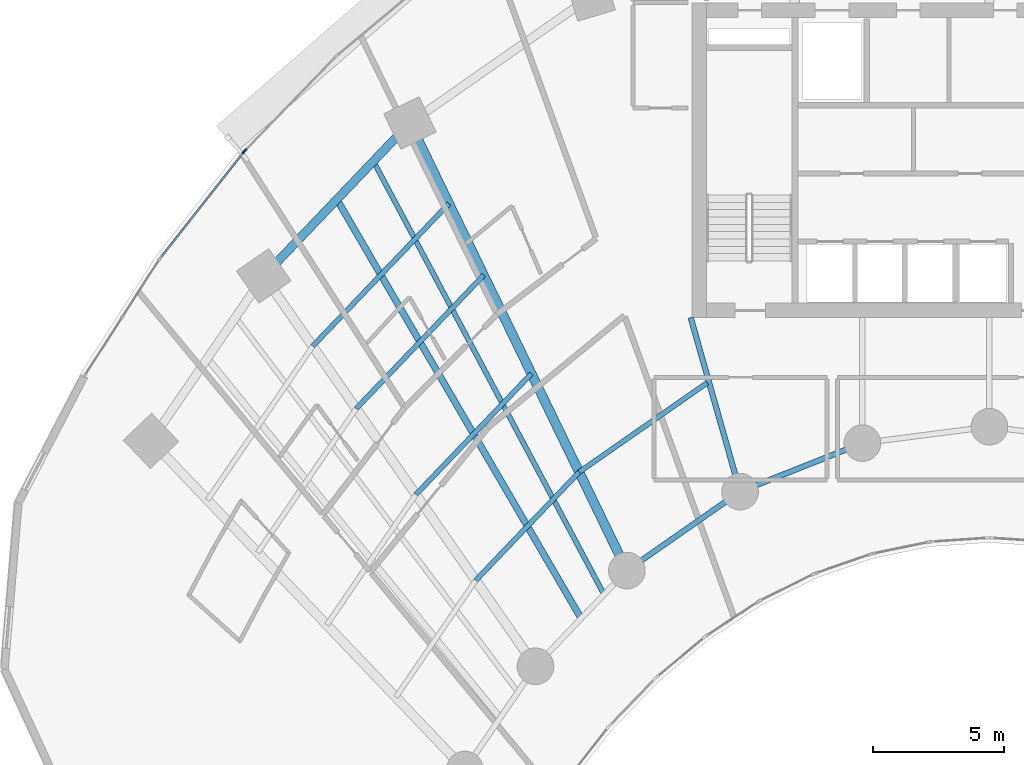
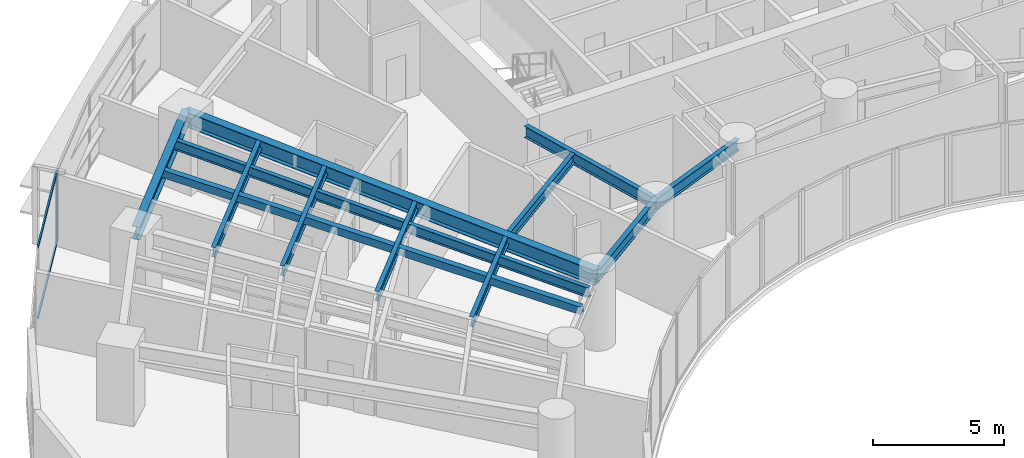
# One storey, part 3 of 17: 12 beams, 4 members, 2 elements without a shape of their own.
"""IFC4 building model written with IfcOpenShell, lengths in metres."""

from ifc_helpers import new_model, si_unit, direction, frame, origin, origin_2d, place, context, subcontext, project, spatial, rectangle, hollow_rectangle, i_section, extrude, source, transform, mapped, material, layer, layer_set, material_profile, profile_set, type_object, type_shapes, element, aggregate, save


model = new_model("IFC4")

# Units and contexts
model_context = context("Model", 3, precision=1e-05, world=origin(), true_north=direction((0.0, 1.0)))
body_context = subcontext(model_context, "Body", "Model", "MODEL_VIEW")
ifc_project = project(units=[si_unit("LENGTHUNIT", "METRE"), si_unit("AREAUNIT", "SQUARE_METRE"), si_unit("VOLUMEUNIT", "CUBIC_METRE"), si_unit("PLANEANGLEUNIT", "RADIAN"), si_unit("MASSUNIT", "GRAM", prefix="KILO")], contexts=[model_context])

# Site, building, storey
site_placement = place(None, origin())
site = spatial("IfcSite", under=ifc_project, at=site_placement, CompositionType="ELEMENT")
building_placement = place(site_placement, origin())
building = spatial("IfcBuilding", under=site, at=building_placement, Name="Breltana Convention Tower", CompositionType="ELEMENT")
storey_placement = place(building_placement, frame((0.0, 0.0, 71.39990234375)))
storey = spatial("IfcBuildingStorey", under=building, at=storey_placement, Name="L16", CompositionType="ELEMENT", Elevation=71.39990234375)

# Beams
ifc_material_1 = material(Name="Steel ASTM A992 Grade 50", Category="steel")
ifc_material_profile_1 = material_profile(ifc_material_1, i_section(OverallWidth=0.323974609375, OverallDepth=0.611083984375, WebThickness=0.0126953125, FlangeThickness=0.01904296875, at=origin_2d()), Name="W24X104")
ifc_profile_set_1 = profile_set([ifc_material_profile_1], Name="Steel ASTM A992 Grade 50")
beam_type_1 = type_object("IfcBeamType", Name="BM-SP-W24X104", PredefinedType="SPANDREL", material=ifc_profile_set_1)
shared_shape_1 = source(origin(), body_context, "Body", "SweptSolid", [
    extrude(i_section(OverallWidth=0.323974609375, OverallDepth=0.611083984375, WebThickness=0.0126953125, FlangeThickness=0.01904296875, at=origin_2d()), origin(), (0.0, 0.0, 1.0), 8.073974609375),
])
beam_1_placement = place(storey_placement, frame((20.310791015625, 61.78857421875, 3.0546875), z_axis=(0.69072885448, 0.723113856588, 0.0), x_axis=(-0.723113856588, 0.69072885448, 0.0)))
element("IfcBeam", 1, at=beam_1_placement, inside=storey, type_object=beam_type_1, Name="L16 Outer Spandrel Beam 02", PredefinedType="SPANDREL", context=body_context, shape_type="MappedRepresentation", body=[
    mapped(shared_shape_1, transform((0.0, 0.0, 0.0), scale=1.0)),
])
ifc_material_profile_2 = material_profile(ifc_material_1, i_section(OverallWidth=0.35498046875, OverallDepth=0.696044921875, WebThickness=0.015380859375, FlangeThickness=0.02490234375, at=origin_2d()), Name="W27X146")
ifc_profile_set_2 = profile_set([ifc_material_profile_2], Name="Steel ASTM A992 Grade 50")
beam_type_2 = type_object("IfcBeamType", Name="BM-RG-W27X146", PredefinedType="USERDEFINED", material=ifc_profile_set_2)
shared_shape_2 = source(origin(), body_context, "Body", "SweptSolid", [
    extrude(i_section(OverallWidth=0.35498046875, OverallDepth=0.696044921875, WebThickness=0.015380859375, FlangeThickness=0.02490234375, at=origin_2d()), origin(), (0.0, 0.0, 1.0), 18.982421875),
])
beam_2_placement = place(storey_placement, frame((34.166259765625, 50.544921875, 3.01220703125), z_axis=(-0.436118560343, 0.89988921614, 0.0), x_axis=(-0.89988921614, -0.436118560343, 0.0)))
element("IfcBeam", 2, at=beam_2_placement, inside=storey, type_object=beam_type_2, Name="L16 Radial Floor Girder R03", ObjectType="GIRDER", PredefinedType="USERDEFINED", context=body_context, shape_type="MappedRepresentation", body=[
    mapped(shared_shape_2, transform((0.0, 0.0, 0.0), scale=1.0)),
])
ifc_material_profile_3 = material_profile(ifc_material_1, i_section(OverallWidth=0.2099609375, OverallDepth=0.537109375, WebThickness=0.010986328125, FlangeThickness=0.017333984375, at=origin_2d()), Name="W21X68")
ifc_profile_set_3 = profile_set([ifc_material_profile_3], Name="Steel ASTM A992 Grade 50")
beam_type_3 = type_object("IfcBeamType", Name="BM-BM-W21X68", PredefinedType="BEAM", material=ifc_profile_set_3)
shared_shape_3 = source(origin(), body_context, "Body", "SweptSolid", [
    extrude(i_section(OverallWidth=0.2099609375, OverallDepth=0.537109375, WebThickness=0.010986328125, FlangeThickness=0.017333984375, at=origin_2d()), origin(), (0.0, 0.0, 1.0), 6.904541015625),
])
type_shapes(beam_type_3, [shared_shape_3])
beam_3_placement = place(storey_placement, frame((36.60009765625, 60.199951171875, 3.091552734375), z_axis=(0.273006781054, -0.962012108811, 0.0), x_axis=(0.962012108811, 0.273006781054, 0.0)))
element("IfcBeam", 3, at=beam_3_placement, inside=storey, type_object=beam_type_3, Name="L16 South Core Tie Girder R04", PredefinedType="BEAM", context=body_context, shape_type="MappedRepresentation", body=[
    mapped(shared_shape_3, transform((0.0, 0.0, 0.0), scale=1.0)),
])
shared_shape_4 = source(origin(), body_context, "Body", "SweptSolid", [
    extrude(i_section(OverallWidth=0.2099609375, OverallDepth=0.537109375, WebThickness=0.010986328125, FlangeThickness=0.017333984375, at=origin_2d()), origin(), (0.0, 0.0, 1.0), 5.265869140625),
])
beam_4_placement = place(storey_placement, frame((34.166259765625, 50.544921875, 3.091552734375), z_axis=(0.820167429517, 0.572123577176, 0.0), x_axis=(-0.572123577176, 0.820167429517, 0.0)))
element("IfcBeam", 4, at=beam_4_placement, inside=storey, type_object=beam_type_3, Name="L16 Inner Ring Beam 03", PredefinedType="BEAM", context=body_context, shape_type="MappedRepresentation", body=[
    mapped(shared_shape_4, transform((0.0, 0.0, 0.0), scale=1.0)),
])
shared_shape_5 = source(origin(), body_context, "Body", "SweptSolid", [
    extrude(i_section(OverallWidth=0.2099609375, OverallDepth=0.537109375, WebThickness=0.010986328125, FlangeThickness=0.017333984375, at=origin_2d()), origin(), (0.0, 0.0, 1.0), 5.022705078125),
])
beam_5_placement = place(storey_placement, frame((38.485107421875, 53.5576171875, 3.091552734375), z_axis=(0.929458966248, 0.368925507469, 0.0), x_axis=(-0.368925507469, 0.929458966248, 0.0)))
element("IfcBeam", 5, at=beam_5_placement, inside=storey, type_object=beam_type_3, Name="L16 Inner Ring Beam 04", PredefinedType="BEAM", context=body_context, shape_type="MappedRepresentation", body=[
    mapped(shared_shape_5, transform((0.0, 0.0, 0.0), scale=1.0)),
])
ifc_material_profile_4 = material_profile(ifc_material_1, i_section(OverallWidth=0.19091796875, OverallDepth=0.4599609375, WebThickness=0.010009765625, FlangeThickness=0.01611328125, at=origin_2d()), Name="W18X55")
ifc_profile_set_4 = profile_set([ifc_material_profile_4], Name="Steel ASTM A992 Grade 50")
beam_type_4 = type_object("IfcBeamType", Name="BM-JSG-07", PredefinedType="JOIST", material=ifc_profile_set_4)
shared_shape_6 = source(origin(), body_context, "Body", "SweptSolid", [
    extrude(i_section(OverallWidth=0.19091796875, OverallDepth=0.4599609375, WebThickness=0.010009765625, FlangeThickness=0.01611328125, at=origin_2d()), origin(), (0.0, 0.0, 1.0), 5.716064453125),
])
beam_6_placement = place(storey_placement, frame((28.396484375, 50.169677734375, 3.130126953125), z_axis=(0.690756060045, 0.723087868458, 0.0), x_axis=(-0.723087868458, 0.690756060045, 0.0)))
element("IfcBeam", 6, at=beam_6_placement, inside=storey, type_object=beam_type_4, Name="L16 Composite Floor Joist 02.1", PredefinedType="JOIST", context=body_context, shape_type="MappedRepresentation", body=[
    mapped(shared_shape_6, transform((0.0, 0.0, 0.0), scale=1.0)),
])
shared_shape_7 = source(origin(), body_context, "Body", "SweptSolid", [
    extrude(i_section(OverallWidth=0.19091796875, OverallDepth=0.4599609375, WebThickness=0.010009765625, FlangeThickness=0.01611328125, at=origin_2d()), origin(), (0.0, 0.0, 1.0), 6.381103515625),
])
beam_7_placement = place(storey_placement, frame((26.115966796875, 53.44677734375, 3.130126953125), z_axis=(0.690737768889, 0.723105341309, 0.0), x_axis=(-0.723105341309, 0.690737768889, 0.0)))
element("IfcBeam", 7, at=beam_7_placement, inside=storey, type_object=beam_type_4, Name="L16 Composite Floor Joist 02.2", PredefinedType="JOIST", context=body_context, shape_type="MappedRepresentation", body=[
    mapped(shared_shape_7, transform((0.0, 0.0, 0.0), scale=1.0)),
])
shared_shape_8 = source(origin(), body_context, "Body", "SweptSolid", [
    extrude(i_section(OverallWidth=0.19091796875, OverallDepth=0.4599609375, WebThickness=0.010009765625, FlangeThickness=0.01611328125, at=origin_2d()), origin(), (0.0, 0.0, 1.0), 7.046142578125),
])
beam_8_placement = place(storey_placement, frame((23.83544921875, 56.723876953125, 3.130126953125), z_axis=(0.690722929904, 0.723119515782, 0.0), x_axis=(-0.723119515782, 0.690722929904, 0.0)))
element("IfcBeam", 8, at=beam_8_placement, inside=storey, type_object=beam_type_4, Name="L16 Composite Floor Joist 02.3", PredefinedType="JOIST", context=body_context, shape_type="MappedRepresentation", body=[
    mapped(shared_shape_8, transform((0.0, 0.0, 0.0), scale=1.0)),
])
shared_shape_9 = source(origin(), body_context, "Body", "SweptSolid", [
    extrude(i_section(OverallWidth=0.19091796875, OverallDepth=0.4599609375, WebThickness=0.010009765625, FlangeThickness=0.01611328125, at=origin_2d()), origin(), (0.0, 0.0, 1.0), 7.529541015625),
])
beam_9_placement = place(storey_placement, frame((22.1767578125, 59.107421875, 3.130126953125), z_axis=(0.690725562031, 0.723117001568, 0.0), x_axis=(-0.723117001568, 0.690725562031, 0.0)))
element("IfcBeam", 9, at=beam_9_placement, inside=storey, type_object=beam_type_4, Name="L16 Composite Floor Joist 02.4", PredefinedType="JOIST", context=body_context, shape_type="MappedRepresentation", body=[
    mapped(shared_shape_9, transform((0.0, 0.0, 0.0), scale=1.0)),
])
ifc_material_profile_5 = material_profile(ifc_material_1, hollow_rectangle(XDim=0.25, YDim=0.35009765625, WallThickness=0.011962890625, at=origin_2d()), Name="RHS350X250X12")
ifc_profile_set_5 = profile_set([ifc_material_profile_5], Name="Steel ASTM A992 Grade 50")
beam_type_5 = type_object("IfcBeamType", Name="BM-JSG-12", PredefinedType="JOIST", material=ifc_profile_set_5)
shared_shape_10 = source(origin(), body_context, "Body", "SweptSolid", [
    extrude(hollow_rectangle(XDim=0.25, YDim=0.35009765625, WallThickness=0.011962890625, at=origin_2d()), origin(), (0.0, 0.0, 1.0), 18.50830078125),
])
beam_10_placement = place(storey_placement, frame((32.421630859375, 48.71875, 3.18505859375), z_axis=(-0.50368319637, 0.863888440537, 0.0), x_axis=(-0.863888440537, -0.50368319637, 0.0)))
element("IfcBeam", 10, at=beam_10_placement, inside=storey, type_object=beam_type_5, Name="L16 Mid-Bay Radial Trimmer 02", PredefinedType="JOIST", context=body_context, shape_type="MappedRepresentation", body=[
    mapped(shared_shape_10, transform((0.0, 0.0, 0.0), scale=1.0)),
])
shared_shape_11 = source(origin(), body_context, "Body", "SweptSolid", [
    extrude(i_section(OverallWidth=0.19091796875, OverallDepth=0.4599609375, WebThickness=0.010009765625, FlangeThickness=0.01611328125, at=origin_2d()), origin(), (0.0, 0.0, 1.0), 18.731689453125),
])
beam_11_placement = place(storey_placement, frame((33.2939453125, 49.6318359375, 3.130126953125), z_axis=(-0.469820250451, 0.882762104004, 0.0), x_axis=(-0.882762104004, -0.469820250451, 0.0)))
element("IfcBeam", 11, at=beam_11_placement, inside=storey, type_object=beam_type_4, Name="L16 Quarter-Bay Radial Trimmer 02", PredefinedType="JOIST", context=body_context, shape_type="MappedRepresentation", body=[
    mapped(shared_shape_11, transform((0.0, 0.0, 0.0), scale=1.0)),
])
shared_shape_12 = source(origin(), body_context, "Body", "SweptSolid", [
    extrude(i_section(OverallWidth=0.19091796875, OverallDepth=0.4599609375, WebThickness=0.010009765625, FlangeThickness=0.01611328125, at=origin_2d()), origin(), (0.0, 0.0, 1.0), 5.959228515625),
])
beam_12_placement = place(storey_placement, frame((32.344970703125, 54.302978515625, 3.130126953125), z_axis=(0.820160485262, 0.572133531979, 0.0), x_axis=(-0.572133531979, 0.820160485262, 0.0)))
element("IfcBeam", 12, at=beam_12_placement, inside=storey, type_object=beam_type_4, Name="L16 Composite Floor Joist 03.1", PredefinedType="JOIST", context=body_context, shape_type="MappedRepresentation", body=[
    mapped(shared_shape_12, transform((0.0, 0.0, 0.0), scale=1.0)),
])

# Curtain wall, member
ifc_material_2 = material(Name="Aluminium Anodised Bronze Frame", Category="aluminium")
ifc_layer = layer(ifc_material_2, 0.199951171875, Name="Aluminium Anodised Bronze Frame")
ifc_layer_set = layer_set([ifc_layer], Name="Aluminium Anodised Bronze Frame")
curtain_wall_type = type_object("IfcCurtainWallType", Name="CW-SYS-2", PredefinedType="NOTDEFINED", material=ifc_layer_set)
curtain_wall_1_placement = place(storey_placement, origin())
curtain_wall_1 = element("IfcCurtainWall", 13, at=curtain_wall_1_placement, inside=storey, type_object=curtain_wall_type, Name="L16 outer double-skin inner glazing 2", PredefinedType="NOTDEFINED")
ifc_material_3 = material(Name="Aluminium Anodised Bronze", Category="aluminium")
ifc_material_profile_6 = material_profile(ifc_material_3, rectangle(XDim=0.070068359375, YDim=0.175048828125, at=origin_2d()), Name="CWM-70X175")
ifc_profile_set_6 = profile_set([ifc_material_profile_6], Name="Aluminium Anodised Bronze")
member_type_1 = type_object("IfcMemberType", Name="CWM-175", PredefinedType="MULLION", material=ifc_profile_set_6)
shared_shape_13 = source(origin(), body_context, "Body", "SweptSolid", [
    extrude(rectangle(XDim=0.070068359375, YDim=0.175048828125, at=origin_2d()), origin(), (0.0, 0.0, 1.0), 3.360107421875),
])
type_shapes(member_type_1, [shared_shape_13])
member_1_placement = place(storey_placement, frame((19.545166015625, 66.518798828125, 0.0), z_axis=(0.0, 0.0, 1.0), x_axis=(-0.786057080698, 0.618153917633, 0.0)))
member_1 = element("IfcMember", 14, at=member_1_placement, type_object=member_type_1, Name="CW-02 mullion 2", PredefinedType="MULLION", context=body_context, shape_type="MappedRepresentation", body=[
    mapped(shared_shape_13, transform((0.0, 0.0, 0.0), scale=1.0)),
])

curtain_wall_2_placement = place(storey_placement, origin())
curtain_wall_2 = element("IfcCurtainWall", 15, at=curtain_wall_2_placement, inside=storey, type_object=curtain_wall_type, Name="L16 outer double-skin inner glazing 3", PredefinedType="NOTDEFINED")
member_2_placement = place(storey_placement, frame((19.591064453125, 66.571533203125, 0.0), z_axis=(0.0, 0.0, 1.0), x_axis=(-0.719386421003, 0.694610090106, 0.0)))
member_2 = element("IfcMember", 16, at=member_2_placement, type_object=member_type_1, Name="CW-02 mullion 1", PredefinedType="MULLION", context=body_context, shape_type="MappedRepresentation", body=[
    mapped(shared_shape_13, transform((0.0, 0.0, 0.0), scale=1.0)),
])
aggregate(curtain_wall_2, [member_2])

# Member
ifc_material_profile_7 = material_profile(ifc_material_3, rectangle(XDim=0.070068359375, YDim=0.1201171875, at=origin_2d()), Name="CWT-70X120")
ifc_profile_set_7 = profile_set([ifc_material_profile_7], Name="Aluminium Anodised Bronze")
member_type_2 = type_object("IfcMemberType", Name="CWT-120", PredefinedType="USERDEFINED", material=ifc_profile_set_7)
shared_shape_14 = source(origin(), body_context, "Body", "SweptSolid", [
    extrude(rectangle(XDim=0.070068359375, YDim=0.1201171875, at=origin_2d()), origin(), (0.0, 0.0, 1.0), 5.0546875),
])
member_3_placement = place(storey_placement, frame((16.39892578125, 62.51806640625, 0.03515625), z_axis=(0.618135067667, 0.786071903913, 0.0), x_axis=(-0.786071903913, 0.618135067667, 0.0)))
member_3 = element("IfcMember", 17, at=member_3_placement, type_object=member_type_2, Name="CW-02 transom 1.1", ObjectType="TRANSOM", PredefinedType="USERDEFINED", context=body_context, shape_type="MappedRepresentation", body=[
    mapped(shared_shape_14, transform((0.0, 0.0, 0.0), scale=1.0)),
])

member_4_placement = place(storey_placement, frame((16.39892578125, 62.51806640625, 3.3251953125), z_axis=(0.618135067667, 0.786071903913, 0.0), x_axis=(-0.786071903913, 0.618135067667, 0.0)))
member_4 = element("IfcMember", 18, at=member_4_placement, type_object=member_type_2, Name="CW-02 transom 1.2", ObjectType="TRANSOM", PredefinedType="USERDEFINED", context=body_context, shape_type="MappedRepresentation", body=[
    mapped(shared_shape_14, transform((0.0, 0.0, 0.0), scale=1.0)),
])

aggregate(curtain_wall_1, [member_1, member_3, member_4])

save(model, "model.ifc")
